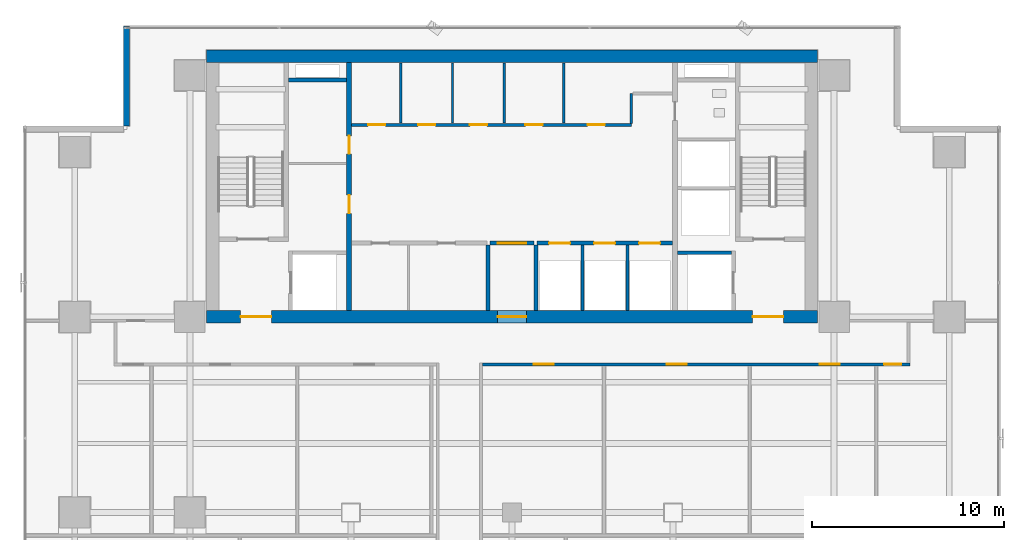
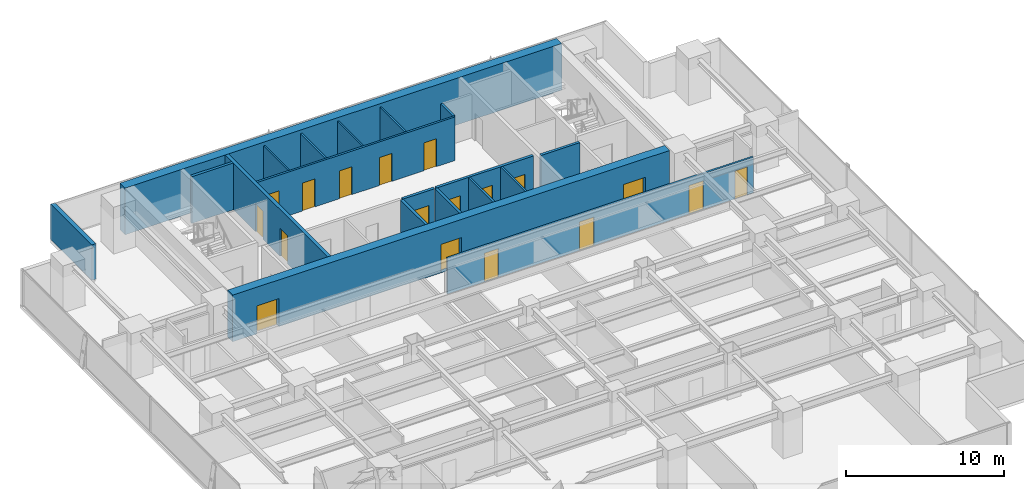
# One storey, part 29 of 36: 19 walls, 18 doors, 18 openings.
"""IFC4 building model written with IfcOpenShell, lengths in metres."""

from ifc_helpers import new_model, si_unit, direction, frame, frame_2d, origin, place, context, subcontext, project, spatial, rectangle, extrude, source, transform, mapped, material, layer, layer_set, type_object, element, fill, save


model = new_model("IFC4")

# Units and contexts
model_context = context("Model", 3, precision=1e-05, world=origin(), true_north=direction((0.0, 1.0)))
body_context = subcontext(model_context, "Body", "Model", "MODEL_VIEW")
ifc_project = project(units=[si_unit("LENGTHUNIT", "METRE"), si_unit("AREAUNIT", "SQUARE_METRE"), si_unit("VOLUMEUNIT", "CUBIC_METRE"), si_unit("PLANEANGLEUNIT", "RADIAN"), si_unit("MASSUNIT", "GRAM", prefix="KILO")], contexts=[model_context])

# Site, building, storey
site_placement = place(None, origin())
site = spatial("IfcSite", under=ifc_project, at=site_placement, CompositionType="ELEMENT")
building_placement = place(site_placement, origin())
building = spatial("IfcBuilding", under=site, at=building_placement, Name="Sumidabori Civic Tower", CompositionType="ELEMENT")
storey_placement = place(building_placement, frame((0.0, 0.0, 92.0)))
storey = spatial("IfcBuildingStorey", under=building, at=storey_placement, Name="L23", CompositionType="ELEMENT", Elevation=92.0)

# Walls
ifc_material_1 = material(Name="Concrete C50/60", Category="concrete")
ifc_layer_1 = layer(ifc_material_1, 0.199951171875, Name="Concrete C50/60")
ifc_layer_set_1 = layer_set([ifc_layer_1], Name="Concrete C50/60")
wall_type_1 = type_object("IfcWallType", Name="WL-SHAFT-200", PredefinedType="SHEAR", material=ifc_layer_set_1)
shared_shape_1 = source(origin(), body_context, "Body", "SweptSolid", [
    extrude(rectangle(XDim=2.824951171875, YDim=0.199951171875, at=frame_2d((1.41259765625, 0.0))), origin(), (0.0, 0.0, 1.0), 3.60009765625),
])
wall_1_placement = place(storey_placement, frame((8.625, 13.550048828125, 0.0), z_axis=(0.0, 0.0, 1.0), x_axis=(1.0, 0.0, 0.0)))
element("IfcWall", 1, at=wall_1_placement, inside=storey, type_object=wall_type_1, Name="Core Shear Wall L23 EL2-N", PredefinedType="SHEAR", context=body_context, shape_type="MappedRepresentation", body=[
    mapped(shared_shape_1, transform((0.0, 0.0, 0.0), x_axis=(1.0, 0.0, 0.0), y_axis=(0.0, 1.0, 0.0), z_axis=(0.0, 0.0, 1.0), scale=1.0)),
])
shared_shape_2 = source(origin(), body_context, "Body", "SweptSolid", [
    extrude(rectangle(XDim=3.02001953125, YDim=0.199951171875, at=frame_2d((1.510009765625, 0.0))), origin(), (0.0, 0.0, 1.0), 3.60009765625),
])
wall_2_placement = place(storey_placement, frame((-11.64501953125, 22.550048828125, 0.0), z_axis=(0.0, 0.0, 1.0), x_axis=(1.0, 0.0, 0.0)))
element("IfcWall", 2, at=wall_2_placement, inside=storey, type_object=wall_type_1, Name="Core Shear Wall L23 RIS1-S", PredefinedType="SHEAR", context=body_context, shape_type="MappedRepresentation", body=[
    mapped(shared_shape_2, transform((0.0, 0.0, 0.0), x_axis=(1.0, 0.0, 0.0), y_axis=(0.0, 1.0, 0.0), z_axis=(0.0, 0.0, 1.0), scale=1.0)),
])
ifc_material_2 = material(Name="Concrete C60/75", Category="concrete")
ifc_layer_2 = layer(ifc_material_2, 0.64990234375, Name="Concrete C60/75")
ifc_layer_set_2 = layer_set([ifc_layer_2], Name="Concrete C60/75")
wall_type_2 = type_object("IfcWallType", Name="WL-CORE-650", PredefinedType="SHEAR", material=ifc_layer_set_2)
shared_shape_3 = source(origin(), body_context, "Body", "SweptSolid", [
    extrude(rectangle(XDim=31.85009765625, YDim=0.64990234375, at=frame_2d((15.925048828125, 0.0))), origin(), (0.0, 0.0, 1.0), 3.60009765625),
])
wall_3_placement = place(storey_placement, frame((-15.925048828125, 23.800048828125, 0.0), z_axis=(0.0, 0.0, 1.0), x_axis=(1.0, 0.0, 0.0)))
element("IfcWall", 3, at=wall_3_placement, inside=storey, type_object=wall_type_2, Name="Core Shear Wall L23 N", PredefinedType="SHEAR", context=body_context, shape_type="MappedRepresentation", body=[
    mapped(shared_shape_3, transform((0.0, 0.0, 0.0), x_axis=(1.0, 0.0, 0.0), y_axis=(0.0, 1.0, 0.0), z_axis=(0.0, 0.0, 1.0), scale=1.0)),
])

# Wall, openings, doors
wall_4_placement = place(storey_placement, frame((-15.925048828125, 10.199951171875, 0.0), z_axis=(0.0, 0.0, 1.0), x_axis=(1.0, 0.0, 0.0)))
wall_4 = element("IfcWall", 4, at=wall_4_placement, inside=storey, type_object=wall_type_2, Name="Core Shear Wall L23 S", PredefinedType="SHEAR", context=body_context, shape_type="MappedRepresentation", body=[
    mapped(shared_shape_3, transform((0.0, 0.0, 0.0), x_axis=(1.0, 0.0, 0.0), y_axis=(0.0, 1.0, 0.0), z_axis=(0.0, 0.0, 1.0), scale=1.0)),
])
opening_1_placement = place(wall_4_placement, frame((1.77490234375, 0.0, 0.0)))
opening_1 = element("IfcOpeningElement", 5, at=opening_1_placement, cuts=wall_4, Name="Opening DR-FD4", PredefinedType="OPENING", context=body_context, shape_type="SweptSolid", body=[
    extrude(rectangle(XDim=1.60009765625, YDim=2.14990234375, at=frame_2d((0.800048828125, 1.074951171875))), frame((0.0, 0.3369140625, 0.0), z_axis=(0.0, -1.0, 0.0), x_axis=(1.0, 0.0, 0.0)), (0.0, 0.0, 1.0), 0.673828125),
])
opening_2_placement = place(wall_4_placement, frame((28.47509765625, 0.0, 0.0)))
opening_2 = element("IfcOpeningElement", 6, at=opening_2_placement, cuts=wall_4, Name="Opening DR-FD4", PredefinedType="OPENING", context=body_context, shape_type="SweptSolid", body=[
    extrude(rectangle(XDim=1.60009765625, YDim=2.14990234375, at=frame_2d((0.800048828125, 1.074951171875))), frame((0.0, 0.3369140625, 0.0), z_axis=(0.0, -1.0, 0.0), x_axis=(1.0, 0.0, 0.0)), (0.0, 0.0, 1.0), 0.673828125),
])
opening_3_placement = place(wall_4_placement, frame((15.175048828125, 0.0, 0.0)))
opening_3 = element("IfcOpeningElement", 7, at=opening_3_placement, cuts=wall_4, Name="Opening DR-FD3", PredefinedType="OPENING", context=body_context, shape_type="SweptSolid", body=[
    extrude(rectangle(XDim=1.5, YDim=2.199951171875, at=frame_2d((0.75, 1.10009765625))), frame((0.0, 0.3369140625, 0.0), z_axis=(0.0, -1.0, 0.0), x_axis=(1.0, 0.0, 0.0)), (0.0, 0.0, 1.0), 0.673828125),
])
ifc_material_3 = material(Name="Steel SN490", Category="steel")
door_type_1 = type_object("IfcDoorType", Name="DR-FD4", OperationType="DOUBLE_DOOR_SINGLE_SWING", PredefinedType="DOOR", material=ifc_material_3)
shared_shape_4 = source(origin(), body_context, "Body", "SweptSolid", [
    extrude(rectangle(XDim=1.60009765625, YDim=2.14990234375, at=frame_2d((0.800048828125, 1.074951171875))), frame((0.0, 0.02490234375, 0.0), z_axis=(0.0, -1.0, 0.0), x_axis=(1.0, 0.0, 0.0)), (0.0, 0.0, 1.0), 0.050048828125),
])
door_1_placement = place(opening_1_placement, origin())
door_1 = element("IfcDoor", 8, at=door_1_placement, inside=storey, type_object=door_type_1, Name="Door DR:L23:ELOB-W", OperationType="DOUBLE_DOOR_SINGLE_SWING", OverallHeight=2.14990234375, OverallWidth=1.60009765625, PredefinedType="DOOR", context=body_context, shape_type="MappedRepresentation", body=[
    mapped(shared_shape_4, transform((0.0, 0.0, 0.0), x_axis=(1.0, 0.0, 0.0), y_axis=(0.0, 1.0, 0.0), z_axis=(0.0, 0.0, 1.0), scale=1.0)),
])
fill(opening_1, door_1)
door_2_placement = place(opening_2_placement, origin())
door_2 = element("IfcDoor", 9, at=door_2_placement, inside=storey, type_object=door_type_1, Name="Door DR:L23:ELOB-E", OperationType="DOUBLE_DOOR_SINGLE_SWING", OverallHeight=2.14990234375, OverallWidth=1.60009765625, PredefinedType="DOOR", context=body_context, shape_type="MappedRepresentation", body=[
    mapped(shared_shape_4, transform((0.0, 0.0, 0.0), x_axis=(1.0, 0.0, 0.0), y_axis=(0.0, 1.0, 0.0), z_axis=(0.0, 0.0, 1.0), scale=1.0)),
])
fill(opening_2, door_2)
door_type_2 = type_object("IfcDoorType", Name="DR-FD-DBL", OperationType="DOUBLE_DOOR_SINGLE_SWING", PredefinedType="DOOR", material=ifc_material_3)
shared_shape_5 = source(origin(), body_context, "Body", "SweptSolid", [
    extrude(rectangle(XDim=1.5, YDim=2.199951171875, at=frame_2d((0.75, 1.10009765625))), frame((0.0, 0.02490234375, 0.0), z_axis=(0.0, -1.0, 0.0), x_axis=(1.0, 0.0, 0.0)), (0.0, 0.0, 1.0), 0.050048828125),
])
door_3_placement = place(opening_3_placement, origin())
door_3 = element("IfcDoor", 10, at=door_3_placement, inside=storey, type_object=door_type_2, Name="Door DR:L23:THROAT-OUT", OperationType="DOUBLE_DOOR_SINGLE_SWING", OverallHeight=2.199951171875, OverallWidth=1.5, PredefinedType="DOOR", context=body_context, shape_type="MappedRepresentation", body=[
    mapped(shared_shape_5, transform((0.0, 0.0, 0.0), x_axis=(1.0, 0.0, 0.0), y_axis=(0.0, 1.0, 0.0), z_axis=(0.0, 0.0, 1.0), scale=1.0)),
])
fill(opening_3, door_3)

ifc_layer_3 = layer(ifc_material_1, 0.25, Name="Concrete C50/60")
ifc_layer_set_3 = layer_set([ifc_layer_3], Name="Concrete C50/60")
wall_type_3 = type_object("IfcWallType", Name="WL-SHAFT-250", PredefinedType="SHEAR", material=ifc_layer_set_3)
shared_shape_6 = source(origin(), body_context, "Body", "SweptSolid", [
    extrude(rectangle(XDim=12.9501953125, YDim=0.25, at=frame_2d((6.47509765625, 0.0))), origin(), (0.0, 0.0, 1.0), 3.60009765625),
])
wall_5_placement = place(storey_placement, frame((-8.5, 10.52490234375, 0.0), z_axis=(0.0, 0.0, 1.0), x_axis=(0.0, 1.0, 0.0)))
wall_5 = element("IfcWall", 11, at=wall_5_placement, inside=storey, type_object=wall_type_3, Name="Core Shear Wall L23 WEB-W", PredefinedType="SHEAR", context=body_context, shape_type="MappedRepresentation", body=[
    mapped(shared_shape_6, transform((0.0, 0.0, 0.0), x_axis=(1.0, 0.0, 0.0), y_axis=(0.0, 1.0, 0.0), z_axis=(0.0, 0.0, 1.0), scale=1.0)),
])
opening_4_placement = place(wall_5_placement, frame((5.074951171875, 0.0, 0.0)))
opening_4 = element("IfcOpeningElement", 12, at=opening_4_placement, cuts=wall_5, Name="Opening DR-FD2", PredefinedType="OPENING", context=body_context, shape_type="SweptSolid", body=[
    extrude(rectangle(XDim=0.949951171875, YDim=2.14990234375, at=frame_2d((0.47509765625, 1.074951171875))), frame((0.0, 0.136962890625, 0.0), z_axis=(0.0, -1.0, 0.0), x_axis=(1.0, 0.0, 0.0)), (0.0, 0.0, 1.0), 0.27392578125),
])
opening_5_placement = place(wall_5_placement, frame((8.175048828125, 0.0, 0.0)))
opening_5 = element("IfcOpeningElement", 13, at=opening_5_placement, cuts=wall_5, Name="Opening DR-FD2", PredefinedType="OPENING", context=body_context, shape_type="SweptSolid", body=[
    extrude(rectangle(XDim=0.949951171875, YDim=2.14990234375, at=frame_2d((0.47509765625, 1.074951171875))), frame((0.0, 0.136962890625, 0.0), z_axis=(0.0, -1.0, 0.0), x_axis=(1.0, 0.0, 0.0)), (0.0, 0.0, 1.0), 0.27392578125),
])
door_type_3 = type_object("IfcDoorType", Name="DR-FD2", OperationType="NOTDEFINED", PredefinedType="DOOR", material=ifc_material_3)
shared_shape_7 = source(origin(), body_context, "Body", "SweptSolid", [
    extrude(rectangle(XDim=0.949951171875, YDim=2.14990234375, at=frame_2d((0.47509765625, 1.074951171875))), frame((0.0, 0.02490234375, 0.0), z_axis=(0.0, -1.0, 0.0), x_axis=(1.0, 0.0, 0.0)), (0.0, 0.0, 1.0), 0.050048828125),
])
door_4_placement = place(opening_4_placement, origin())
door_4 = element("IfcDoor", 14, at=door_4_placement, inside=storey, type_object=door_type_3, Name="Door DR:L23:CW-S1", OperationType="SINGLE_SWING_LEFT", OverallHeight=2.14990234375, OverallWidth=0.949951171875, PredefinedType="DOOR", context=body_context, shape_type="MappedRepresentation", body=[
    mapped(shared_shape_7, transform((0.0, 0.0, 0.0), x_axis=(1.0, 0.0, 0.0), y_axis=(0.0, 1.0, 0.0), z_axis=(0.0, 0.0, 1.0), scale=1.0)),
])
fill(opening_4, door_4)
door_5_placement = place(opening_5_placement, origin())
door_5 = element("IfcDoor", 15, at=door_5_placement, inside=storey, type_object=door_type_3, Name="Door DR:L23:CW-S2", OperationType="SINGLE_SWING_RIGHT", OverallHeight=2.14990234375, OverallWidth=0.949951171875, PredefinedType="DOOR", context=body_context, shape_type="MappedRepresentation", body=[
    mapped(shared_shape_7, transform((0.0, 0.0, 0.0), x_axis=(1.0, 0.0, 0.0), y_axis=(0.0, 1.0, 0.0), z_axis=(0.0, 0.0, 1.0), scale=1.0)),
])
fill(opening_5, door_5)

# Wall
ifc_material_4 = material(Name="Precast concrete C40/50", Category="concrete")
ifc_layer_4 = layer(ifc_material_4, 0.300048828125, Name="Precast concrete C40/50")
ifc_layer_set_4 = layer_set([ifc_layer_4], Name="Precast concrete C40/50")
wall_type_4 = type_object("IfcWallType", Name="WL-EXT-POD300", PredefinedType="STANDARD", material=ifc_layer_set_4)
shared_shape_8 = source(origin(), body_context, "Body", "SweptSolid", [
    extrude(rectangle(XDim=5.2099609375, YDim=0.300048828125, at=frame_2d((2.60498046875, 0.0))), origin(), (0.0, 0.0, 1.0), 2.739990234375),
])
wall_6_placement = place(storey_placement, frame((-20.10009765625, 25.3798828125, 0.0), z_axis=(0.0, 0.0, 1.0), x_axis=(0.0, -1.0, 0.0)))
element("IfcWall", 16, at=wall_6_placement, inside=storey, type_object=wall_type_4, Name="Notched Corner Spandrel Band L23-08", PredefinedType="STANDARD", context=body_context, shape_type="MappedRepresentation", body=[
    mapped(shared_shape_8, transform((0.0, 0.0, 0.0), x_axis=(1.0, 0.0, 0.0), y_axis=(0.0, 1.0, 0.0), z_axis=(0.0, 0.0, 1.0), scale=1.0)),
])

# Wall, openings, doors
ifc_material_5 = material(Name="Gypsum Plasterboard Fire Partition")
ifc_layer_5 = layer(ifc_material_5, 0.199951171875, Name="Gypsum Plasterboard Fire Partition")
ifc_layer_set_5 = layer_set([ifc_layer_5], Name="Gypsum Plasterboard Fire Partition")
wall_type_5 = type_object("IfcWallType", Name="WL-PART-FIRE", PredefinedType="PARTITIONING", material=ifc_layer_set_5)
shared_shape_9 = source(origin(), body_context, "Body", "SweptSolid", [
    extrude(rectangle(XDim=7.070068359375, YDim=0.199951171875, at=frame_2d((3.53515625, 0.0))), origin(), (0.0, 0.0, 1.0), 3.360107421875),
])
wall_7_placement = place(storey_placement, frame((1.300048828125, 14.050048828125, 0.0), z_axis=(0.0, 0.0, 1.0), x_axis=(1.0, 0.0, 0.0)))
wall_7 = element("IfcWall", 17, at=wall_7_placement, inside=storey, type_object=wall_type_5, Name="Interior Partition WL:L23:CBAND-SE", PredefinedType="PARTITIONING", context=body_context, shape_type="MappedRepresentation", body=[
    mapped(shared_shape_9, transform((0.0, 0.0, 0.0), x_axis=(1.0, 0.0, 0.0), y_axis=(0.0, 1.0, 0.0), z_axis=(0.0, 0.0, 1.0), scale=1.0)),
])
opening_6_placement = place(wall_7_placement, frame((0.6298828125, 0.0, 0.0)))
opening_6 = element("IfcOpeningElement", 18, at=opening_6_placement, cuts=wall_7, Name="Opening LD-1", PredefinedType="OPENING", context=body_context, shape_type="SweptSolid", body=[
    extrude(rectangle(XDim=1.10009765625, YDim=2.14990234375, at=frame_2d((0.550048828125, 1.074951171875))), frame((0.0, 0.11181640625, 0.0), z_axis=(0.0, -1.0, 0.0), x_axis=(1.0, 0.0, 0.0)), (0.0, 0.0, 1.0), 0.223876953125),
])
opening_7_placement = place(wall_7_placement, frame((2.97998046875, 0.0, 0.0)))
opening_7 = element("IfcOpeningElement", 19, at=opening_7_placement, cuts=wall_7, Name="Opening LD-1", PredefinedType="OPENING", context=body_context, shape_type="SweptSolid", body=[
    extrude(rectangle(XDim=1.10009765625, YDim=2.14990234375, at=frame_2d((0.550048828125, 1.074951171875))), frame((0.0, 0.11181640625, 0.0), z_axis=(0.0, -1.0, 0.0), x_axis=(1.0, 0.0, 0.0)), (0.0, 0.0, 1.0), 0.223876953125),
])
opening_8_placement = place(wall_7_placement, frame((5.330078125, 0.0, 0.0)))
opening_8 = element("IfcOpeningElement", 20, at=opening_8_placement, cuts=wall_7, Name="Opening LD-1", PredefinedType="OPENING", context=body_context, shape_type="SweptSolid", body=[
    extrude(rectangle(XDim=1.10009765625, YDim=2.14990234375, at=frame_2d((0.550048828125, 1.074951171875))), frame((0.0, 0.11181640625, 0.0), z_axis=(0.0, -1.0, 0.0), x_axis=(1.0, 0.0, 0.0)), (0.0, 0.0, 1.0), 0.223876953125),
])
ifc_material_6 = material(Name="Stainless Steel Hairline Finish", Category="steel")
door_type_4 = type_object("IfcDoorType", Name="DR-LD1", OperationType="DOUBLE_DOOR_SLIDING", PredefinedType="DOOR", material=ifc_material_6)
shared_shape_10 = source(origin(), body_context, "Body", "SweptSolid", [
    extrude(rectangle(XDim=1.10009765625, YDim=2.14990234375, at=frame_2d((0.550048828125, 1.074951171875))), frame((0.0, 0.02490234375, 0.0), z_axis=(0.0, -1.0, 0.0), x_axis=(1.0, 0.0, 0.0)), (0.0, 0.0, 1.0), 0.050048828125),
])
door_6_placement = place(opening_6_placement, origin())
door_6 = element("IfcDoor", 21, at=door_6_placement, inside=storey, type_object=door_type_4, Name="Door DR:L23:LD-PLM1", OperationType="DOUBLE_DOOR_SLIDING", OverallHeight=2.14990234375, OverallWidth=1.10009765625, PredefinedType="DOOR", context=body_context, shape_type="MappedRepresentation", body=[
    mapped(shared_shape_10, transform((0.0, 0.0, 0.0), x_axis=(1.0, 0.0, 0.0), y_axis=(0.0, 1.0, 0.0), z_axis=(0.0, 0.0, 1.0), scale=1.0)),
])
fill(opening_6, door_6)
door_7_placement = place(opening_7_placement, origin())
door_7 = element("IfcDoor", 22, at=door_7_placement, inside=storey, type_object=door_type_4, Name="Door DR:L23:LD-PLM2", OperationType="DOUBLE_DOOR_SLIDING", OverallHeight=2.14990234375, OverallWidth=1.10009765625, PredefinedType="DOOR", context=body_context, shape_type="MappedRepresentation", body=[
    mapped(shared_shape_10, transform((0.0, 0.0, 0.0), x_axis=(1.0, 0.0, 0.0), y_axis=(0.0, 1.0, 0.0), z_axis=(0.0, 0.0, 1.0), scale=1.0)),
])
fill(opening_7, door_7)
door_8_placement = place(opening_8_placement, origin())
door_8 = element("IfcDoor", 23, at=door_8_placement, inside=storey, type_object=door_type_4, Name="Door DR:L23:LD-PLM3", OperationType="DOUBLE_DOOR_SLIDING", OverallHeight=2.14990234375, OverallWidth=1.10009765625, PredefinedType="DOOR", context=body_context, shape_type="MappedRepresentation", body=[
    mapped(shared_shape_10, transform((0.0, 0.0, 0.0), x_axis=(1.0, 0.0, 0.0), y_axis=(0.0, 1.0, 0.0), z_axis=(0.0, 0.0, 1.0), scale=1.0)),
])
fill(opening_8, door_8)

# Wall, opening, door
shared_shape_11 = source(origin(), body_context, "Body", "SweptSolid", [
    extrude(rectangle(XDim=2.2998046875, YDim=0.199951171875, at=frame_2d((1.14990234375, 0.0))), origin(), (0.0, 0.0, 1.0), 3.360107421875),
])
wall_8_placement = place(storey_placement, frame((-1.14990234375, 14.050048828125, 0.0), z_axis=(0.0, 0.0, 1.0), x_axis=(1.0, 0.0, 0.0)))
wall_8 = element("IfcWall", 24, at=wall_8_placement, inside=storey, type_object=wall_type_5, Name="Interior Partition WL:L23:THROAT-N", PredefinedType="PARTITIONING", context=body_context, shape_type="MappedRepresentation", body=[
    mapped(shared_shape_11, transform((0.0, 0.0, 0.0), x_axis=(1.0, 0.0, 0.0), y_axis=(0.0, 1.0, 0.0), z_axis=(0.0, 0.0, 1.0), scale=1.0)),
])
opening_9_placement = place(wall_8_placement, frame((0.39990234375, 0.0, 0.0)))
opening_9 = element("IfcOpeningElement", 25, at=opening_9_placement, cuts=wall_8, Name="Opening DR-FD3", PredefinedType="OPENING", context=body_context, shape_type="SweptSolid", body=[
    extrude(rectangle(XDim=1.5, YDim=2.199951171875, at=frame_2d((0.75, 1.10009765625))), frame((0.0, 0.11181640625, 0.0), z_axis=(0.0, -1.0, 0.0), x_axis=(1.0, 0.0, 0.0)), (0.0, 0.0, 1.0), 0.223876953125),
])
door_9_placement = place(opening_9_placement, origin())
door_9 = element("IfcDoor", 26, at=door_9_placement, inside=storey, type_object=door_type_2, Name="Door DR:L23:THROAT-IN", OperationType="DOUBLE_DOOR_SINGLE_SWING", OverallHeight=2.199951171875, OverallWidth=1.5, PredefinedType="DOOR", context=body_context, shape_type="MappedRepresentation", body=[
    mapped(shared_shape_5, transform((0.0, 0.0, 0.0), x_axis=(1.0, 0.0, 0.0), y_axis=(0.0, 1.0, 0.0), z_axis=(0.0, 0.0, 1.0), scale=1.0)),
])
fill(opening_9, door_9)

# Wall, openings, doors
ifc_material_7 = material(Name="Gypsum Plasterboard Acoustic Partition")
ifc_layer_6 = layer(ifc_material_7, 0.14990234375, Name="Gypsum Plasterboard Acoustic Partition")
ifc_layer_set_6 = layer_set([ifc_layer_6], Name="Gypsum Plasterboard Acoustic Partition")
wall_type_6 = type_object("IfcWallType", Name="WL-PART-150", PredefinedType="PARTITIONING", material=ifc_layer_set_6)
shared_shape_12 = source(origin(), body_context, "Body", "SweptSolid", [
    extrude(rectangle(XDim=14.590087890625, YDim=0.14990234375, at=frame_2d((7.294921875, 0.0))), origin(), (0.0, 0.0, 1.0), 3.360107421875),
])
wall_9_placement = place(storey_placement, frame((-8.3701171875, 20.219970703125, 0.0), z_axis=(0.0, 0.0, 1.0), x_axis=(1.0, 0.0, 0.0)))
wall_9 = element("IfcWall", 27, at=wall_9_placement, inside=storey, type_object=wall_type_6, Name="Interior Partition WL:L23:CBAND-M", PredefinedType="PARTITIONING", context=body_context, shape_type="MappedRepresentation", body=[
    mapped(shared_shape_12, transform((0.0, 0.0, 0.0), x_axis=(1.0, 0.0, 0.0), y_axis=(0.0, 1.0, 0.0), z_axis=(0.0, 0.0, 1.0), scale=1.0)),
])
opening_10_placement = place(wall_9_placement, frame((0.860107421875, 0.0, 0.0)))
opening_10 = element("IfcOpeningElement", 28, at=opening_10_placement, cuts=wall_9, Name="Opening DR-1", PredefinedType="OPENING", context=body_context, shape_type="SweptSolid", body=[
    extrude(rectangle(XDim=0.89990234375, YDim=2.14990234375, at=frame_2d((0.449951171875, 1.074951171875))), frame((0.0, 0.0869140625, 0.0), z_axis=(0.0, -1.0, 0.0), x_axis=(1.0, 0.0, 0.0)), (0.0, 0.0, 1.0), 0.173828125),
])
opening_11_placement = place(wall_9_placement, frame((3.469970703125, 0.0, 0.0)))
opening_11 = element("IfcOpeningElement", 29, at=opening_11_placement, cuts=wall_9, Name="Opening DR-1", PredefinedType="OPENING", context=body_context, shape_type="SweptSolid", body=[
    extrude(rectangle(XDim=0.89990234375, YDim=2.14990234375, at=frame_2d((0.449951171875, 1.074951171875))), frame((0.0, 0.0869140625, 0.0), z_axis=(0.0, -1.0, 0.0), x_axis=(1.0, 0.0, 0.0)), (0.0, 0.0, 1.0), 0.173828125),
])
opening_12_placement = place(wall_9_placement, frame((6.169921875, 0.0, 0.0)))
opening_12 = element("IfcOpeningElement", 30, at=opening_12_placement, cuts=wall_9, Name="Opening DR-1", PredefinedType="OPENING", context=body_context, shape_type="SweptSolid", body=[
    extrude(rectangle(XDim=0.89990234375, YDim=2.14990234375, at=frame_2d((0.449951171875, 1.074951171875))), frame((0.0, 0.0869140625, 0.0), z_axis=(0.0, -1.0, 0.0), x_axis=(1.0, 0.0, 0.0)), (0.0, 0.0, 1.0), 0.173828125),
])
opening_13_placement = place(wall_9_placement, frame((9.070068359375, 0.0, 0.0)))
opening_13 = element("IfcOpeningElement", 31, at=opening_13_placement, cuts=wall_9, Name="Opening DR-1", PredefinedType="OPENING", context=body_context, shape_type="SweptSolid", body=[
    extrude(rectangle(XDim=0.89990234375, YDim=2.14990234375, at=frame_2d((0.449951171875, 1.074951171875))), frame((0.0, 0.0869140625, 0.0), z_axis=(0.0, -1.0, 0.0), x_axis=(1.0, 0.0, 0.0)), (0.0, 0.0, 1.0), 0.173828125),
])
opening_14_placement = place(wall_9_placement, frame((12.320068359375, 0.0, 0.0)))
opening_14 = element("IfcOpeningElement", 32, at=opening_14_placement, cuts=wall_9, Name="Opening DR-1", PredefinedType="OPENING", context=body_context, shape_type="SweptSolid", body=[
    extrude(rectangle(XDim=0.89990234375, YDim=2.14990234375, at=frame_2d((0.449951171875, 1.074951171875))), frame((0.0, 0.0869140625, 0.0), z_axis=(0.0, -1.0, 0.0), x_axis=(1.0, 0.0, 0.0)), (0.0, 0.0, 1.0), 0.173828125),
])
ifc_material_8 = material(Name="Japanese Hinoki Timber", Category="wood")
door_type_5 = type_object("IfcDoorType", Name="DR-INT-900", OperationType="NOTDEFINED", PredefinedType="DOOR", material=ifc_material_8)
shared_shape_13 = source(origin(), body_context, "Body", "SweptSolid", [
    extrude(rectangle(XDim=0.89990234375, YDim=2.14990234375, at=frame_2d((0.449951171875, 1.074951171875))), frame((0.0, 0.02490234375, 0.0), z_axis=(0.0, -1.0, 0.0), x_axis=(1.0, 0.0, 0.0)), (0.0, 0.0, 1.0), 0.050048828125),
])
door_10_placement = place(opening_10_placement, origin())
door_10 = element("IfcDoor", 33, at=door_10_placement, inside=storey, type_object=door_type_5, Name="Door DR:L23:CB-1", OperationType="SINGLE_SWING_LEFT", OverallHeight=2.14990234375, OverallWidth=0.89990234375, PredefinedType="DOOR", context=body_context, shape_type="MappedRepresentation", body=[
    mapped(shared_shape_13, transform((0.0, 0.0, 0.0), x_axis=(1.0, 0.0, 0.0), y_axis=(0.0, 1.0, 0.0), z_axis=(0.0, 0.0, 1.0), scale=1.0)),
])
fill(opening_10, door_10)
door_11_placement = place(opening_11_placement, origin())
door_11 = element("IfcDoor", 34, at=door_11_placement, inside=storey, type_object=door_type_5, Name="Door DR:L23:CB-2", OperationType="SINGLE_SWING_RIGHT", OverallHeight=2.14990234375, OverallWidth=0.89990234375, PredefinedType="DOOR", context=body_context, shape_type="MappedRepresentation", body=[
    mapped(shared_shape_13, transform((0.0, 0.0, 0.0), x_axis=(1.0, 0.0, 0.0), y_axis=(0.0, 1.0, 0.0), z_axis=(0.0, 0.0, 1.0), scale=1.0)),
])
fill(opening_11, door_11)
door_12_placement = place(opening_12_placement, origin())
door_12 = element("IfcDoor", 35, at=door_12_placement, inside=storey, type_object=door_type_5, Name="Door DR:L23:CB-3", OperationType="SINGLE_SWING_LEFT", OverallHeight=2.14990234375, OverallWidth=0.89990234375, PredefinedType="DOOR", context=body_context, shape_type="MappedRepresentation", body=[
    mapped(shared_shape_13, transform((0.0, 0.0, 0.0), x_axis=(1.0, 0.0, 0.0), y_axis=(0.0, 1.0, 0.0), z_axis=(0.0, 0.0, 1.0), scale=1.0)),
])
fill(opening_12, door_12)
door_13_placement = place(opening_13_placement, origin())
door_13 = element("IfcDoor", 36, at=door_13_placement, inside=storey, type_object=door_type_5, Name="Door DR:L23:CB-4", OperationType="SINGLE_SWING_RIGHT", OverallHeight=2.14990234375, OverallWidth=0.89990234375, PredefinedType="DOOR", context=body_context, shape_type="MappedRepresentation", body=[
    mapped(shared_shape_13, transform((0.0, 0.0, 0.0), x_axis=(1.0, 0.0, 0.0), y_axis=(0.0, 1.0, 0.0), z_axis=(0.0, 0.0, 1.0), scale=1.0)),
])
fill(opening_13, door_13)
door_14_placement = place(opening_14_placement, origin())
door_14 = element("IfcDoor", 37, at=door_14_placement, inside=storey, type_object=door_type_5, Name="Door DR:L23:CB-5", OperationType="SINGLE_SWING_LEFT", OverallHeight=2.14990234375, OverallWidth=0.89990234375, PredefinedType="DOOR", context=body_context, shape_type="MappedRepresentation", body=[
    mapped(shared_shape_13, transform((0.0, 0.0, 0.0), x_axis=(1.0, 0.0, 0.0), y_axis=(0.0, 1.0, 0.0), z_axis=(0.0, 0.0, 1.0), scale=1.0)),
])
fill(opening_14, door_14)

# Walls
shared_shape_14 = source(origin(), body_context, "Body", "SweptSolid", [
    extrude(rectangle(XDim=1.550048828125, YDim=0.14990234375, at=frame_2d((0.77490234375, 0.0))), origin(), (0.0, 0.0, 1.0), 3.360107421875),
])
wall_10_placement = place(storey_placement, frame((6.219970703125, 20.300048828125, 0.0), z_axis=(0.0, 0.0, 1.0), x_axis=(0.0, 1.0, 0.0)))
element("IfcWall", 38, at=wall_10_placement, inside=storey, type_object=wall_type_6, Name="Interior Partition WL:L23:CBAND-ME1", PredefinedType="PARTITIONING", context=body_context, shape_type="MappedRepresentation", body=[
    mapped(shared_shape_14, transform((0.0, 0.0, 0.0), x_axis=(1.0, 0.0, 0.0), y_axis=(0.0, 1.0, 0.0), z_axis=(0.0, 0.0, 1.0), scale=1.0)),
])
shared_shape_15 = source(origin(), body_context, "Body", "SweptSolid", [
    extrude(rectangle(XDim=3.4150390625, YDim=0.199951171875, at=frame_2d((1.70751953125, 0.0))), origin(), (0.0, 0.0, 1.0), 3.360107421875),
])
for number, where, z_axis, x_axis, name in (
    (39, (-1.25, 10.52490234375, 0.0), (0.0, 0.0, 1.0), (0.0, 1.0, 0.0), "Interior Partition WL:L23:THROAT-W"),
    (40, (1.25, 10.52490234375, 0.0), (0.0, 0.0, 1.0), (0.0, 1.0, 0.0), "Interior Partition WL:L23:THROAT-E"),
):
    element("IfcWall", number, at=place(storey_placement, frame(where, z_axis=z_axis, x_axis=x_axis)), inside=storey, type_object=wall_type_5, Name=name, PredefinedType="PARTITIONING", context=body_context, shape_type="MappedRepresentation", body=[
        mapped(shared_shape_15, transform((0.0, 0.0, 0.0), x_axis=(1.0, 0.0, 0.0), y_axis=(0.0, 1.0, 0.0), z_axis=(0.0, 0.0, 1.0), scale=1.0)),
    ])
shared_shape_16 = source(origin(), body_context, "Body", "SweptSolid", [
    extrude(rectangle(XDim=3.4150390625, YDim=0.14990234375, at=frame_2d((1.70751953125, 0.0))), origin(), (0.0, 0.0, 1.0), 3.360107421875),
])
for number, where, z_axis, x_axis, name in (
    (41, (3.669921875, 10.52490234375, 0.0), (0.0, 0.0, 1.0), (0.0, 1.0, 0.0), "Interior Partition WL:L23:DIV-PLM1"),
    (42, (6.02001953125, 10.52490234375, 0.0), (0.0, 0.0, 1.0), (0.0, 1.0, 0.0), "Interior Partition WL:L23:DIV-PLM2"),
):
    element("IfcWall", number, at=place(storey_placement, frame(where, z_axis=z_axis, x_axis=x_axis)), inside=storey, type_object=wall_type_6, Name=name, PredefinedType="PARTITIONING", context=body_context, shape_type="MappedRepresentation", body=[
        mapped(shared_shape_16, transform((0.0, 0.0, 0.0), x_axis=(1.0, 0.0, 0.0), y_axis=(0.0, 1.0, 0.0), z_axis=(0.0, 0.0, 1.0), scale=1.0)),
    ])
ifc_layer_7 = layer(ifc_material_7, 0.1201171875, Name="Gypsum Plasterboard Acoustic Partition")
ifc_layer_set_7 = layer_set([ifc_layer_7], Name="Gypsum Plasterboard Acoustic Partition")
wall_type_7 = type_object("IfcWallType", Name="WL-PART-120", PredefinedType="PARTITIONING", material=ifc_layer_set_7)
shared_shape_17 = source(origin(), body_context, "Body", "SweptSolid", [
    extrude(rectangle(XDim=3.114990234375, YDim=0.1201171875, at=frame_2d((1.5576171875, 0.0))), origin(), (0.0, 0.0, 1.0), 3.360107421875),
])
for number, where, z_axis, x_axis, name in (
    (43, (-5.800048828125, 20.320068359375, 0.0), (0.0, 0.0, 1.0), (0.0, 1.0, 0.0), "Interior Partition WL:L23:LV8-S1"),
    (44, (-3.10009765625, 20.320068359375, 0.0), (0.0, 0.0, 1.0), (0.0, 1.0, 0.0), "Interior Partition WL:L23:LV8-S2"),
    (45, (-0.39990234375, 20.320068359375, 0.0), (0.0, 0.0, 1.0), (0.0, 1.0, 0.0), "Interior Partition WL:L23:LV8-S3"),
    (46, (2.699951171875, 20.320068359375, 0.0), (0.0, 0.0, 1.0), (0.0, 1.0, 0.0), "Interior Partition WL:L23:LV8-S4"),
):
    element("IfcWall", number, at=place(storey_placement, frame(where, z_axis=z_axis, x_axis=x_axis)), inside=storey, type_object=wall_type_7, Name=name, PredefinedType="PARTITIONING", context=body_context, shape_type="MappedRepresentation", body=[
        mapped(shared_shape_17, transform((0.0, 0.0, 0.0), x_axis=(1.0, 0.0, 0.0), y_axis=(0.0, 1.0, 0.0), z_axis=(0.0, 0.0, 1.0), scale=1.0)),
    ])

# Wall, openings, doors
shared_shape_18 = source(origin(), body_context, "Body", "SweptSolid", [
    extrude(rectangle(XDim=22.300048828125, YDim=0.14990234375, at=frame_2d((11.14990234375, 0.0))), origin(), (0.0, 0.0, 1.0), 2.7451171875),
])
wall_11_placement = place(storey_placement, frame((-1.550048828125, 7.72509765625, 0.0), z_axis=(0.0, 0.0, 1.0), x_axis=(1.0, 0.0, 0.0)))
wall_11 = element("IfcWall", 47, at=wall_11_placement, inside=storey, type_object=wall_type_6, Name="Interior Partition WL:L23:CORR-SE", PredefinedType="PARTITIONING", context=body_context, shape_type="MappedRepresentation", body=[
    mapped(shared_shape_18, transform((0.0, 0.0, 0.0), x_axis=(1.0, 0.0, 0.0), y_axis=(0.0, 1.0, 0.0), z_axis=(0.0, 0.0, 1.0), scale=1.0)),
])
opening_15_placement = place(wall_11_placement, frame((20.952392578125, 0.0, 0.0)))
opening_15 = element("IfcOpeningElement", 48, at=opening_15_placement, cuts=wall_11, Name="Opening DR-1", PredefinedType="OPENING", context=body_context, shape_type="SweptSolid", body=[
    extrude(rectangle(XDim=0.89990234375, YDim=2.14990234375, at=frame_2d((0.449951171875, 1.074951171875))), frame((0.0, 0.0869140625, 0.0), z_axis=(0.0, -1.0, 0.0), x_axis=(1.0, 0.0, 0.0)), (0.0, 0.0, 1.0), 0.173828125),
])
opening_16_placement = place(wall_11_placement, frame((17.610107421875, 0.0, 0.0)))
opening_16 = element("IfcOpeningElement", 49, at=opening_16_placement, cuts=wall_11, Name="Opening DR-4", PredefinedType="OPENING", context=body_context, shape_type="SweptSolid", body=[
    extrude(rectangle(XDim=1.0400390625, YDim=2.199951171875, at=frame_2d((0.52001953125, 1.10009765625))), frame((0.0, 0.0869140625, 0.0), z_axis=(0.0, -1.0, 0.0), x_axis=(1.0, 0.0, 0.0)), (0.0, 0.0, 1.0), 0.173828125),
])
opening_17_placement = place(wall_11_placement, frame((2.677490234375, 0.0, 0.0)))
opening_17 = element("IfcOpeningElement", 50, at=opening_17_placement, cuts=wall_11, Name="Opening DR-4", PredefinedType="OPENING", context=body_context, shape_type="SweptSolid", body=[
    extrude(rectangle(XDim=1.0400390625, YDim=2.199951171875, at=frame_2d((0.52001953125, 1.10009765625))), frame((0.0, 0.0869140625, 0.0), z_axis=(0.0, -1.0, 0.0), x_axis=(1.0, 0.0, 0.0)), (0.0, 0.0, 1.0), 0.173828125),
])
opening_18_placement = place(wall_11_placement, frame((9.6298828125, 0.0, 0.0)))
opening_18 = element("IfcOpeningElement", 51, at=opening_18_placement, cuts=wall_11, Name="Opening DR-4", PredefinedType="OPENING", context=body_context, shape_type="SweptSolid", body=[
    extrude(rectangle(XDim=1.0400390625, YDim=2.199951171875, at=frame_2d((0.52001953125, 1.10009765625))), frame((0.0, 0.0869140625, 0.0), z_axis=(0.0, -1.0, 0.0), x_axis=(1.0, 0.0, 0.0)), (0.0, 0.0, 1.0), 0.173828125),
])
door_15_placement = place(opening_15_placement, origin())
door_15 = element("IfcDoor", 52, at=door_15_placement, inside=storey, type_object=door_type_5, Name="Door DR:L23:D03", OperationType="SINGLE_SWING_LEFT", OverallHeight=2.14990234375, OverallWidth=0.89990234375, PredefinedType="DOOR", context=body_context, shape_type="MappedRepresentation", body=[
    mapped(shared_shape_13, transform((0.0, 0.0, 0.0), x_axis=(1.0, 0.0, 0.0), y_axis=(0.0, 1.0, 0.0), z_axis=(0.0, 0.0, 1.0), scale=1.0)),
])
fill(opening_15, door_15)
door_type_6 = type_object("IfcDoorType", Name="DR-INT-1040", OperationType="NOTDEFINED", PredefinedType="DOOR", material=ifc_material_8)
shared_shape_19 = source(origin(), body_context, "Body", "SweptSolid", [
    extrude(rectangle(XDim=1.0400390625, YDim=2.199951171875, at=frame_2d((0.52001953125, 1.10009765625))), frame((0.0, 0.02490234375, 0.0), z_axis=(0.0, -1.0, 0.0), x_axis=(1.0, 0.0, 0.0)), (0.0, 0.0, 1.0), 0.050048828125),
])
door_16_placement = place(opening_16_placement, origin())
door_16 = element("IfcDoor", 53, at=door_16_placement, inside=storey, type_object=door_type_6, Name="Door DR:L23:D04", OperationType="SINGLE_SWING_RIGHT", OverallHeight=2.199951171875, OverallWidth=1.0400390625, PredefinedType="DOOR", context=body_context, shape_type="MappedRepresentation", body=[
    mapped(shared_shape_19, transform((0.0, 0.0, 0.0), x_axis=(1.0, 0.0, 0.0), y_axis=(0.0, 1.0, 0.0), z_axis=(0.0, 0.0, 1.0), scale=1.0)),
])
fill(opening_16, door_16)
door_17_placement = place(opening_17_placement, origin())
door_17 = element("IfcDoor", 54, at=door_17_placement, inside=storey, type_object=door_type_6, Name="Door DR:L23:D07", OperationType="SINGLE_SWING_LEFT", OverallHeight=2.199951171875, OverallWidth=1.0400390625, PredefinedType="DOOR", context=body_context, shape_type="MappedRepresentation", body=[
    mapped(shared_shape_19, transform((0.0, 0.0, 0.0), x_axis=(1.0, 0.0, 0.0), y_axis=(0.0, 1.0, 0.0), z_axis=(0.0, 0.0, 1.0), scale=1.0)),
])
fill(opening_17, door_17)
door_18_placement = place(opening_18_placement, origin())
door_18 = element("IfcDoor", 55, at=door_18_placement, inside=storey, type_object=door_type_6, Name="Door DR:L23:D08", OperationType="SINGLE_SWING_RIGHT", OverallHeight=2.199951171875, OverallWidth=1.0400390625, PredefinedType="DOOR", context=body_context, shape_type="MappedRepresentation", body=[
    mapped(shared_shape_19, transform((0.0, 0.0, 0.0), x_axis=(1.0, 0.0, 0.0), y_axis=(0.0, 1.0, 0.0), z_axis=(0.0, 0.0, 1.0), scale=1.0)),
])
fill(opening_18, door_18)

save(model, "model.ifc")
